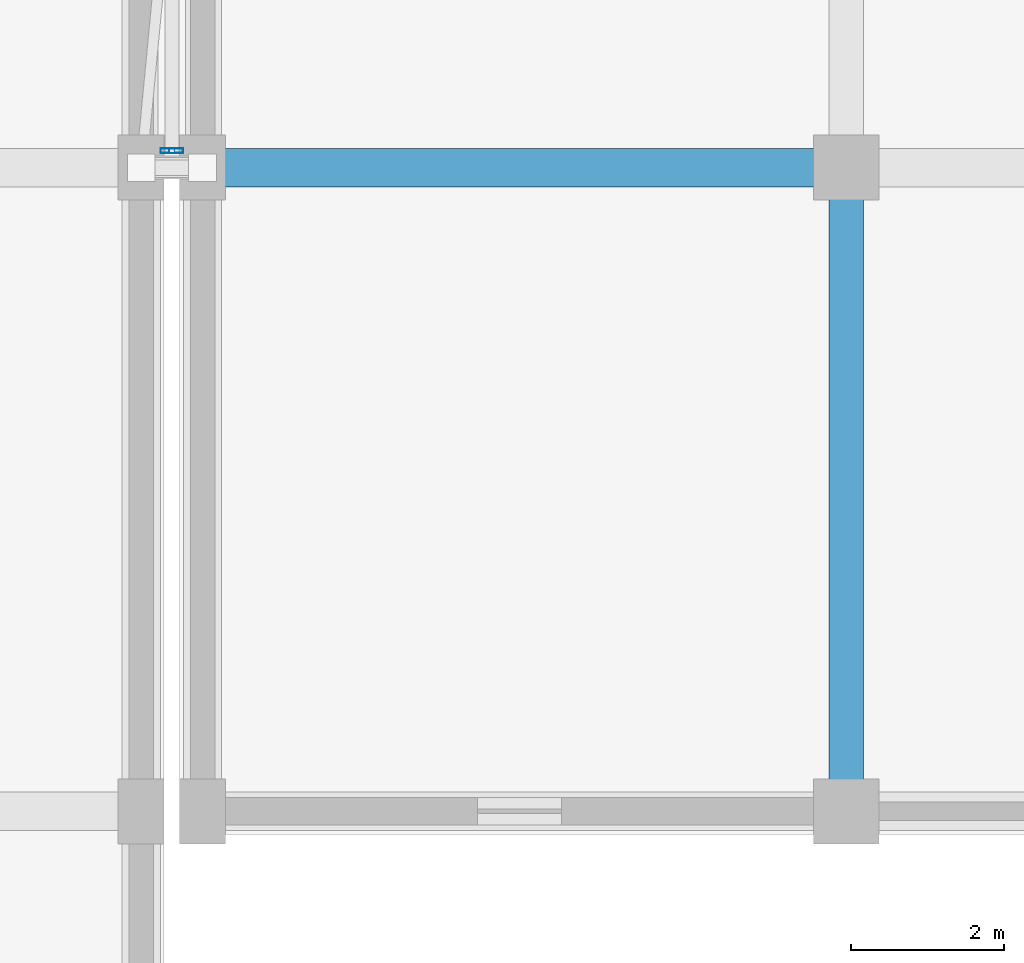
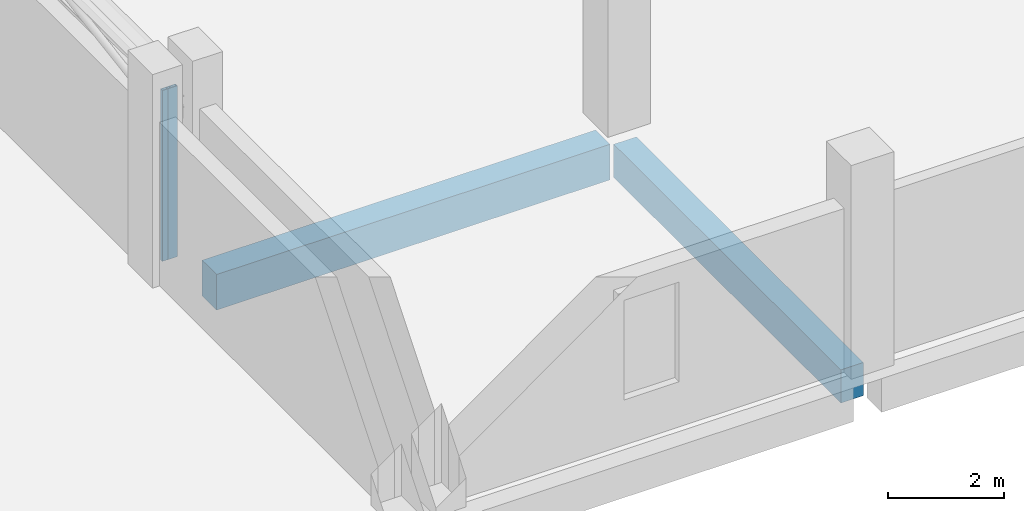
# One storey, part 71 of 137: 2 beams, 2 members, 1 element without a shape of its own.
"""IFC4 building model written with IfcOpenShell, lengths in metres."""

from ifc_helpers import new_model, si_unit, direction, frame, origin, origin_2d, place, context, subcontext, project, spatial, rectangle, hollow_rectangle, extrude, material, layer, layer_set, material_profile, profile_set, type_object, element, aggregate, save


model = new_model("IFC4")

# Units and contexts
model_context = context("Model", 3, precision=1e-05, world=origin(), true_north=direction((0.0, 1.0)))
body_context = subcontext(model_context, "Body", "Model", "MODEL_VIEW")
ifc_project = project(units=[si_unit("LENGTHUNIT", "METRE"), si_unit("AREAUNIT", "SQUARE_METRE"), si_unit("VOLUMEUNIT", "CUBIC_METRE"), si_unit("PLANEANGLEUNIT", "RADIAN"), si_unit("MASSUNIT", "GRAM", prefix="KILO")], contexts=[model_context])

# Site, building, storey
site_placement = place(None, origin())
site = spatial("IfcSite", under=ifc_project, at=site_placement, CompositionType="ELEMENT")
building_placement = place(site_placement, origin())
building = spatial("IfcBuilding", under=site, at=building_placement, Name="Xazarin Passage Department Store", CompositionType="ELEMENT")
storey_placement = place(building_placement, frame((0.0, 0.0, 5.39990234375)))
storey = spatial("IfcBuildingStorey", under=building, at=storey_placement, Name="L01", CompositionType="ELEMENT", Elevation=5.39990234375)

# Curtain wall, members
ifc_material_1 = material(Name="Bronze anodised aluminium", Category="aluminium")
ifc_layer = layer(ifc_material_1, 0.14990234375)
ifc_layer_set = layer_set([ifc_layer], Name="Bronze anodised aluminium")
curtain_wall_type = type_object("IfcCurtainWallType", Name="ARC-CW-BRG1", PredefinedType="NOTDEFINED", material=ifc_layer_set)
curtain_wall_placement = place(storey_placement, origin())
curtain_wall = element("IfcCurtainWall", 1, at=curtain_wall_placement, inside=storey, type_object=curtain_wall_type, Name="L01 BR-V2N-V4 Bridge Curtain Wall 1", PredefinedType="NOTDEFINED")
ifc_material_profile_1 = material_profile(ifc_material_1, hollow_rectangle(XDim=0.06494140625, YDim=0.179931640625, WallThickness=0.00390625, at=origin_2d()), Name="ALU 65x180")
ifc_profile_set_1 = profile_set([ifc_material_profile_1], Name="Bronze anodised aluminium")
member_type = type_object("IfcMemberType", Name="ARC-CWM-65x180", PredefinedType="MULLION", material=ifc_profile_set_1)
member_1_placement = place(storey_placement, frame((101.9423828125, 85.02001953125, 0.0), z_axis=(0.0, 0.0, 1.0), x_axis=(0.0, 1.0, 0.0)))
member_1 = element("IfcMember", 2, at=member_1_placement, type_object=member_type, Name="CW7 mullion 1", PredefinedType="MULLION", context=body_context, shape_type="SweptSolid", body=[
    extrude(hollow_rectangle(XDim=0.06494140625, YDim=0.179931640625, WallThickness=0.00390625, at=origin_2d()), origin(), (0.0, 0.0, 1.0), 3.60009765625),
])
member_2_placement = place(storey_placement, frame((102.0576171875, 85.02001953125, 0.0), z_axis=(0.0, 0.0, 1.0), x_axis=(0.0, 1.0, 0.0)))
member_2 = element("IfcMember", 3, at=member_2_placement, type_object=member_type, Name="CW7 mullion 2", PredefinedType="MULLION", context=body_context, shape_type="SweptSolid", body=[
    extrude(hollow_rectangle(XDim=0.06494140625, YDim=0.179931640625, WallThickness=0.00390625, at=origin_2d()), origin(), (0.0, 0.0, 1.0), 3.60009765625),
])
aggregate(curtain_wall, [member_1, member_2])

# Beams
ifc_material_2 = material(Name="Concrete C35/45", Category="concrete")
ifc_material_profile_2 = material_profile(ifc_material_2, rectangle(XDim=0.449951171875, YDim=0.699951171875, at=origin_2d()), Name="RC 450x700")
ifc_profile_set_2 = profile_set([ifc_material_profile_2], Name="Concrete C35/45")
beam_type_1 = type_object("IfcBeamType", Name="STR-BM-G450x700", PredefinedType="BEAM", material=ifc_profile_set_2)
beam_1_placement = place(storey_placement, frame((110.800048828125, 76.679931640625, -0.64990234375), z_axis=(0.0, 1.0, 0.0), x_axis=(-1.0, 0.0, 0.0)))
element("IfcBeam", 4, at=beam_1_placement, inside=storey, type_object=beam_type_1, Name="L01 Grid Beam 16/L-M", PredefinedType="BEAM", context=body_context, shape_type="SweptSolid", body=[
    extrude(rectangle(XDim=0.449951171875, YDim=0.699951171875, at=origin_2d()), origin(), (0.0, 0.0, 1.0), 7.840087890625),
])
ifc_material_profile_3 = material_profile(ifc_material_2, rectangle(XDim=0.5, YDim=0.75, at=origin_2d()), Name="RC 500x750")
ifc_profile_set_3 = profile_set([ifc_material_profile_3], Name="Concrete C35/45")
beam_type_2 = type_object("IfcBeamType", Name="STR-BM-SP500x750", PredefinedType="SPANDREL", material=ifc_profile_set_3)
beam_2_placement = place(storey_placement, frame((102.679931640625, 84.800048828125, -0.6748046875), z_axis=(1.0, 0.0, 0.0), x_axis=(0.0, 1.0, 0.0)))
element("IfcBeam", 5, at=beam_2_placement, inside=storey, type_object=beam_type_2, Name="L01 Grid Beam M/15-16", PredefinedType="SPANDREL", context=body_context, shape_type="SweptSolid", body=[
    extrude(rectangle(XDim=0.5, YDim=0.75, at=origin_2d()), origin(), (0.0, 0.0, 1.0), 7.840087890625),
])

save(model, "model.ifc")
